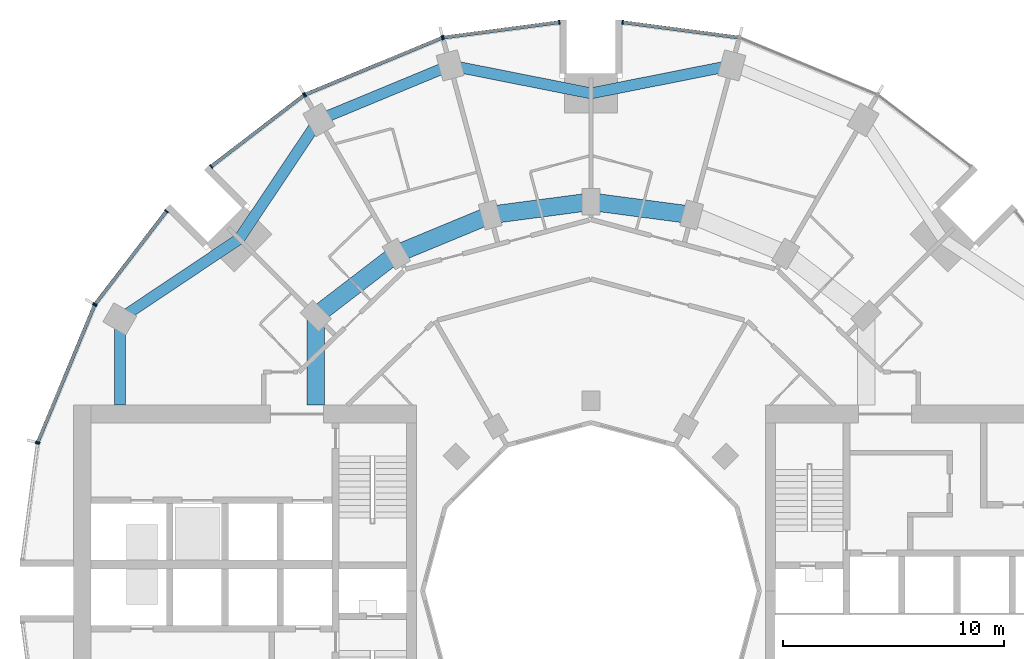
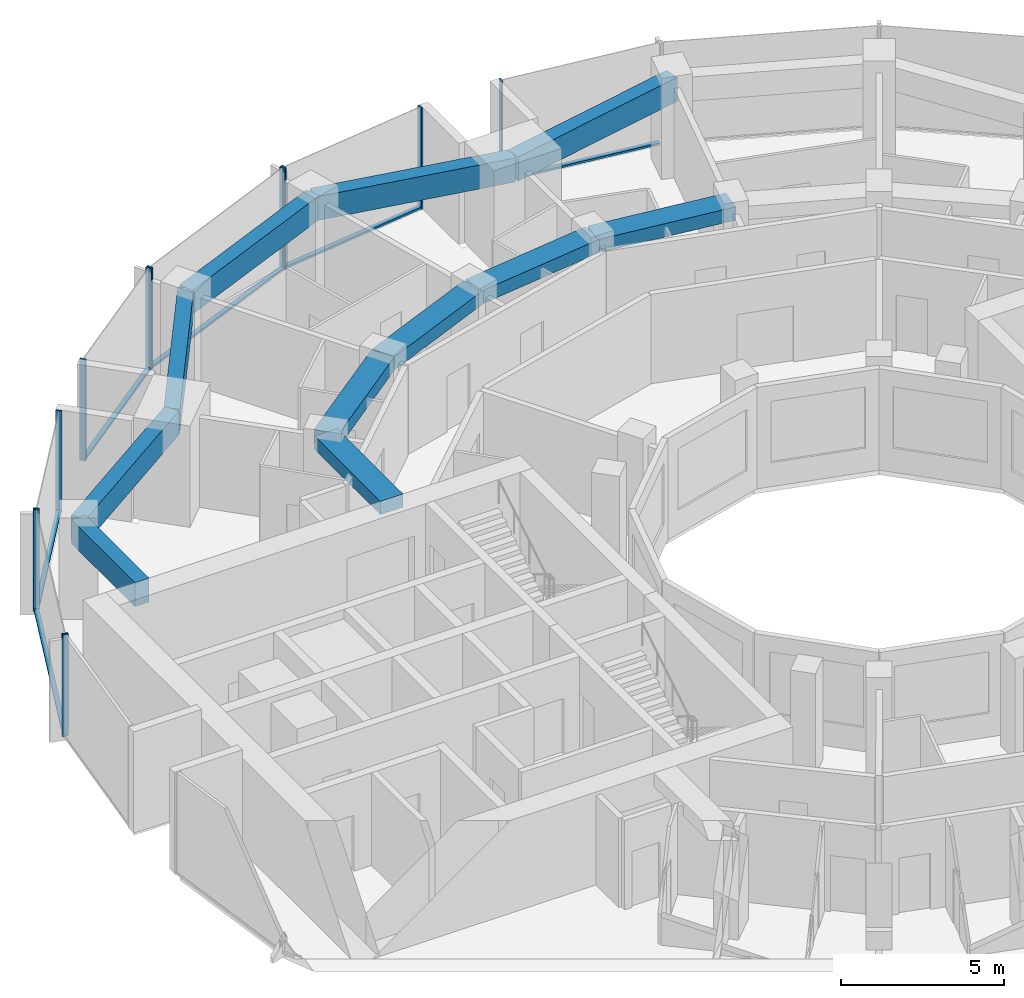
# One storey, part 5 of 15: 18 members, 11 beams, 7 elements without a shape of their own.
"""IFC4 building model written with IfcOpenShell, lengths in metres."""

from ifc_helpers import new_model, si_unit, direction, frame, origin, origin_2d, place, context, subcontext, project, spatial, rectangle, extrude, material, layer, layer_set, material_profile, profile_set, type_object, element, aggregate, save


model = new_model("IFC4")

# Units and contexts
model_context = context("Model", 3, precision=1e-05, world=origin(), true_north=direction((0.0, 1.0)))
body_context = subcontext(model_context, "Body", "Model", "MODEL_VIEW")
ifc_project = project(units=[si_unit("LENGTHUNIT", "METRE"), si_unit("AREAUNIT", "SQUARE_METRE"), si_unit("VOLUMEUNIT", "CUBIC_METRE"), si_unit("PLANEANGLEUNIT", "RADIAN"), si_unit("MASSUNIT", "GRAM", prefix="KILO")], contexts=[model_context])

# Site, building, storey
site_placement = place(None, origin())
site = spatial("IfcSite", under=ifc_project, at=site_placement, CompositionType="ELEMENT")
building_placement = place(site_placement, origin())
building = spatial("IfcBuilding", under=site, at=building_placement, Name="Torre Brocal", CompositionType="ELEMENT")
storey_placement = place(building_placement, frame((0.0, 0.0, 44.0)))
storey = spatial("IfcBuildingStorey", under=building, at=storey_placement, Name="L09", CompositionType="ELEMENT", Elevation=44.0)

# Curtain wall, member
ifc_material_1 = material(Name="Aluminium and glass", Category="aluminium")
ifc_layer_1 = layer(ifc_material_1, 0.199951171875)
ifc_layer_set_1 = layer_set([ifc_layer_1], Name="Aluminium and glass")
curtain_wall_type_1 = type_object("IfcCurtainWallType", Name="CW-1 CURTAIN WALL 3800 HIGH", PredefinedType="NOTDEFINED", material=ifc_layer_set_1)
curtain_wall_1_placement = place(storey_placement, origin())
curtain_wall_1 = element("IfcCurtainWall", 1, at=curtain_wall_1_placement, inside=storey, type_object=curtain_wall_type_1, Name="CW-1 RUN 6", PredefinedType="NOTDEFINED")
ifc_material_2 = material(Name="Aluminium, dark anodised", Category="aluminium")
ifc_material_profile_1 = material_profile(ifc_material_2, rectangle(XDim=0.199951171875, YDim=0.06005859375, at=origin_2d()), Name="CW-1 MULLION 60X200")
ifc_profile_set_1 = profile_set([ifc_material_profile_1], Name="Aluminium, dark anodised")
member_type_1 = type_object("IfcMemberType", Name="CW-1 MULLION 60X200", PredefinedType="MULLION", material=ifc_profile_set_1)
member_1_placement = place(storey_placement, frame((81.4296875, 100.7109375, 0.0), z_axis=(0.0, 0.0, 1.0), x_axis=(-0.13052619222, -0.991444861374, 0.0)))
member_1 = element("IfcMember", 2, at=member_1_placement, type_object=member_type_1, Name="CW1-1 mullion 2", PredefinedType="MULLION", context=body_context, shape_type="SweptSolid", body=[
    extrude(rectangle(XDim=0.199951171875, YDim=0.06005859375, at=origin_2d()), origin(), (0.0, 0.0, 1.0), 3.800048828125),
])

# Curtain wall, members
curtain_wall_2_placement = place(storey_placement, origin())
curtain_wall_2 = element("IfcCurtainWall", 3, at=curtain_wall_2_placement, inside=storey, type_object=curtain_wall_type_1, Name="CW-1 RUN 7", PredefinedType="NOTDEFINED")
member_2_placement = place(storey_placement, frame((78.5703125, 100.7109375, 0.0), z_axis=(0.0, 0.0, 1.0), x_axis=(0.13052619222, -0.991444861374, 0.0)))
member_2 = element("IfcMember", 4, at=member_2_placement, type_object=member_type_1, Name="CW1-1 mullion 1", PredefinedType="MULLION", context=body_context, shape_type="SweptSolid", body=[
    extrude(rectangle(XDim=0.199951171875, YDim=0.06005859375, at=origin_2d()), origin(), (0.0, 0.0, 1.0), 3.800048828125),
])
member_3_placement = place(storey_placement, frame((73.32666015625, 100.0205078125, 0.0), z_axis=(0.0, 0.0, 1.0), x_axis=(0.13052619222, -0.991444861374, 0.0)))
member_3 = element("IfcMember", 5, at=member_3_placement, type_object=member_type_1, Name="CW1-1 mullion 2", PredefinedType="MULLION", context=body_context, shape_type="SweptSolid", body=[
    extrude(rectangle(XDim=0.199951171875, YDim=0.06005859375, at=origin_2d()), origin(), (0.0, 0.0, 1.0), 3.800048828125),
])

curtain_wall_3_placement = place(storey_placement, origin())
curtain_wall_3 = element("IfcCurtainWall", 6, at=curtain_wall_3_placement, inside=storey, type_object=curtain_wall_type_1, Name="CW-1 RUN 8", PredefinedType="NOTDEFINED")
member_4_placement = place(storey_placement, frame((73.26904296875, 100.005126953125, 0.0), z_axis=(0.0, 0.0, 1.0), x_axis=(0.382683432333, -0.923879532525, 0.0)))
member_4 = element("IfcMember", 7, at=member_4_placement, type_object=member_type_1, Name="CW1-1 mullion 1", PredefinedType="MULLION", context=body_context, shape_type="SweptSolid", body=[
    extrude(rectangle(XDim=0.199951171875, YDim=0.06005859375, at=origin_2d()), origin(), (0.0, 0.0, 1.0), 3.800048828125),
])
member_5_placement = place(storey_placement, frame((67.078125, 97.440673828125, 0.0), z_axis=(0.0, 0.0, 1.0), x_axis=(0.382683432333, -0.923879532525, 0.0)))
member_5 = element("IfcMember", 8, at=member_5_placement, type_object=member_type_1, Name="CW1-1 mullion 2", PredefinedType="MULLION", context=body_context, shape_type="SweptSolid", body=[
    extrude(rectangle(XDim=0.199951171875, YDim=0.06005859375, at=origin_2d()), origin(), (0.0, 0.0, 1.0), 3.800048828125),
])

curtain_wall_4_placement = place(storey_placement, origin())
curtain_wall_4 = element("IfcCurtainWall", 9, at=curtain_wall_4_placement, inside=storey, type_object=curtain_wall_type_1, Name="CW-1 RUN 9", PredefinedType="NOTDEFINED")
member_6_placement = place(storey_placement, frame((67.026611328125, 97.4111328125, 0.0), z_axis=(0.0, 0.0, 1.0), x_axis=(0.60876142905, -0.793353340259, 0.0)))
member_6 = element("IfcMember", 10, at=member_6_placement, type_object=member_type_1, Name="CW1-1 mullion 1", PredefinedType="MULLION", context=body_context, shape_type="SweptSolid", body=[
    extrude(rectangle(XDim=0.199951171875, YDim=0.06005859375, at=origin_2d()), origin(), (0.0, 0.0, 1.0), 3.800048828125),
])
member_7_placement = place(storey_placement, frame((62.83056640625, 94.19140625, 0.0), z_axis=(0.0, 0.0, 1.0), x_axis=(0.60876142905, -0.793353340259, 0.0)))
member_7 = element("IfcMember", 11, at=member_7_placement, type_object=member_type_1, Name="CW1-1 mullion 2", PredefinedType="MULLION", context=body_context, shape_type="SweptSolid", body=[
    extrude(rectangle(XDim=0.199951171875, YDim=0.06005859375, at=origin_2d()), origin(), (0.0, 0.0, 1.0), 3.800048828125),
])

curtain_wall_5_placement = place(storey_placement, origin())
curtain_wall_5 = element("IfcCurtainWall", 12, at=curtain_wall_5_placement, inside=storey, type_object=curtain_wall_type_1, Name="CW-1 RUN 10", PredefinedType="NOTDEFINED")
member_8_placement = place(storey_placement, frame((60.80859375, 92.16943359375, 0.0), z_axis=(0.0, 0.0, 1.0), x_axis=(0.793353340259, -0.60876142905, 0.0)))
member_8 = element("IfcMember", 13, at=member_8_placement, type_object=member_type_1, Name="CW1-1 mullion 1", PredefinedType="MULLION", context=body_context, shape_type="SweptSolid", body=[
    extrude(rectangle(XDim=0.199951171875, YDim=0.06005859375, at=origin_2d()), origin(), (0.0, 0.0, 1.0), 3.800048828125),
])
member_9_placement = place(storey_placement, frame((57.5888671875, 87.973388671875, 0.0), z_axis=(0.0, 0.0, 1.0), x_axis=(0.793353340259, -0.60876142905, 0.0)))
member_9 = element("IfcMember", 14, at=member_9_placement, type_object=member_type_1, Name="CW1-1 mullion 2", PredefinedType="MULLION", context=body_context, shape_type="SweptSolid", body=[
    extrude(rectangle(XDim=0.199951171875, YDim=0.06005859375, at=origin_2d()), origin(), (0.0, 0.0, 1.0), 3.800048828125),
])

curtain_wall_6_placement = place(storey_placement, origin())
curtain_wall_6 = element("IfcCurtainWall", 15, at=curtain_wall_6_placement, inside=storey, type_object=curtain_wall_type_1, Name="CW-1 RUN 11", PredefinedType="NOTDEFINED")
member_10_placement = place(storey_placement, frame((57.559326171875, 87.921875, 0.0), z_axis=(0.0, 0.0, 1.0), x_axis=(0.923879532525, -0.382683432333, 0.0)))
member_10 = element("IfcMember", 16, at=member_10_placement, type_object=member_type_1, Name="CW1-1 mullion 1", PredefinedType="MULLION", context=body_context, shape_type="SweptSolid", body=[
    extrude(rectangle(XDim=0.199951171875, YDim=0.06005859375, at=origin_2d()), origin(), (0.0, 0.0, 1.0), 3.800048828125),
])
member_11_placement = place(storey_placement, frame((54.994873046875, 81.73095703125, 0.0), z_axis=(0.0, 0.0, 1.0), x_axis=(0.923879532525, -0.382683432333, 0.0)))
member_11 = element("IfcMember", 17, at=member_11_placement, type_object=member_type_1, Name="CW1-1 mullion 2", PredefinedType="MULLION", context=body_context, shape_type="SweptSolid", body=[
    extrude(rectangle(XDim=0.199951171875, YDim=0.06005859375, at=origin_2d()), origin(), (0.0, 0.0, 1.0), 3.800048828125),
])

# Member
ifc_material_3 = material(Name="Aluminium, dark anodised", Category="aluminium")
ifc_material_profile_2 = material_profile(ifc_material_3, rectangle(XDim=0.159912109375, YDim=0.080078125, at=origin_2d()), Name="CW-1 TRANSOM 160X80")
ifc_profile_set_2 = profile_set([ifc_material_profile_2], Name="Aluminium, dark anodised")
member_type_2 = type_object("IfcMemberType", Name="CW-1 TRANSOM 160X80", PredefinedType="USERDEFINED", material=ifc_profile_set_2)
member_12_placement = place(storey_placement, frame((86.643798828125, 100.0244140625, 0.0400390625), z_axis=(-0.991442690863, 0.130542677827, 0.0), x_axis=(-0.130542677827, -0.991442690863, 0.0)))
member_12 = element("IfcMember", 18, at=member_12_placement, type_object=member_type_2, Name="CW1-1 transom 1.1", ObjectType="TRANSOM", PredefinedType="USERDEFINED", context=body_context, shape_type="SweptSolid", body=[
    extrude(rectangle(XDim=0.159912109375, YDim=0.080078125, at=origin_2d()), origin(), (0.0, 0.0, 1.0), 5.22900390625),
])

aggregate(curtain_wall_1, [member_1, member_12])

member_13_placement = place(storey_placement, frame((78.54052734375, 100.70703125, 0.0400390625), z_axis=(-0.991442690863, -0.130542677827, 0.0), x_axis=(0.130542677827, -0.991442690863, 0.0)))
member_13 = element("IfcMember", 19, at=member_13_placement, type_object=member_type_2, Name="CW1-1 transom 1.1", ObjectType="TRANSOM", PredefinedType="USERDEFINED", context=body_context, shape_type="SweptSolid", body=[
    extrude(rectangle(XDim=0.159912109375, YDim=0.080078125, at=origin_2d()), origin(), (0.0, 0.0, 1.0), 5.22900390625),
])

aggregate(curtain_wall_2, [member_2, member_3, member_13])

member_14_placement = place(storey_placement, frame((73.241455078125, 99.99365234375, 0.0400390625), z_axis=(-0.923887344364, -0.38266457234, 0.0), x_axis=(0.38266457234, -0.923887344364, 0.0)))
member_14 = element("IfcMember", 20, at=member_14_placement, type_object=member_type_2, Name="CW1-1 transom 1.1", ObjectType="TRANSOM", PredefinedType="USERDEFINED", context=body_context, shape_type="SweptSolid", body=[
    extrude(rectangle(XDim=0.159912109375, YDim=0.080078125, at=origin_2d()), origin(), (0.0, 0.0, 1.0), 6.640869140625),
])

aggregate(curtain_wall_3, [member_4, member_5, member_14])

member_15_placement = place(storey_placement, frame((67.0029296875, 97.392822265625, 0.0400390625), z_axis=(-0.79336281513, -0.60874908096, 0.0), x_axis=(0.60874908096, -0.79336281513, 0.0)))
member_15 = element("IfcMember", 21, at=member_15_placement, type_object=member_type_2, Name="CW1-1 transom 1.1", ObjectType="TRANSOM", PredefinedType="USERDEFINED", context=body_context, shape_type="SweptSolid", body=[
    extrude(rectangle(XDim=0.159912109375, YDim=0.080078125, at=origin_2d()), origin(), (0.0, 0.0, 1.0), 5.22900390625),
])

aggregate(curtain_wall_4, [member_6, member_7, member_15])

member_16_placement = place(storey_placement, frame((60.790283203125, 92.1455078125, 0.0400390625), z_axis=(-0.60874908096, -0.79336281513, 0.0), x_axis=(0.79336281513, -0.60874908096, 0.0)))
member_16 = element("IfcMember", 22, at=member_16_placement, type_object=member_type_2, Name="CW1-1 transom 1.1", ObjectType="TRANSOM", PredefinedType="USERDEFINED", context=body_context, shape_type="SweptSolid", body=[
    extrude(rectangle(XDim=0.159912109375, YDim=0.080078125, at=origin_2d()), origin(), (0.0, 0.0, 1.0), 5.22900390625),
])

aggregate(curtain_wall_5, [member_8, member_9, member_16])

member_17_placement = place(storey_placement, frame((57.547607421875, 87.89404296875, 0.0400390625), z_axis=(-0.38266457234, -0.923887344364, 0.0), x_axis=(0.923887344364, -0.38266457234, 0.0)))
member_17 = element("IfcMember", 23, at=member_17_placement, type_object=member_type_2, Name="CW1-1 transom 1.1", ObjectType="TRANSOM", PredefinedType="USERDEFINED", context=body_context, shape_type="SweptSolid", body=[
    extrude(rectangle(XDim=0.159912109375, YDim=0.080078125, at=origin_2d()), origin(), (0.0, 0.0, 1.0), 6.640869140625),
])

aggregate(curtain_wall_6, [member_10, member_11, member_17])

# Curtain wall, member
ifc_material_4 = material(Name="Aluminium and glass", Category="aluminium")
ifc_layer_2 = layer(ifc_material_4, 0.199951171875)
ifc_layer_set_2 = layer_set([ifc_layer_2], Name="Aluminium and glass")
curtain_wall_type_2 = type_object("IfcCurtainWallType", Name="CW-1B CURTAIN WALL 3800 HIGH", PredefinedType="NOTDEFINED", material=ifc_layer_set_2)
curtain_wall_7_placement = place(storey_placement, origin())
curtain_wall_7 = element("IfcCurtainWall", 24, at=curtain_wall_7_placement, inside=storey, type_object=curtain_wall_type_2, Name="CW-1B RUN 12", PredefinedType="NOTDEFINED")
ifc_material_5 = material(Name="Aluminium, dark anodised", Category="aluminium")
ifc_material_profile_3 = material_profile(ifc_material_5, rectangle(XDim=0.199951171875, YDim=0.06005859375, at=origin_2d()), Name="CW-1B MULLION 60X200")
ifc_profile_set_3 = profile_set([ifc_material_profile_3], Name="Aluminium, dark anodised")
member_type_3 = type_object("IfcMemberType", Name="CW-1B MULLION 60X200", PredefinedType="MULLION", material=ifc_profile_set_3)
member_18_placement = place(storey_placement, frame((54.9794921875, 81.67333984375, 0.0), z_axis=(0.0, 0.0, 1.0), x_axis=(0.991444861374, -0.13052619222, 0.0)))
member_18 = element("IfcMember", 25, at=member_18_placement, type_object=member_type_3, Name="CW1B-1 mullion 1", PredefinedType="MULLION", context=body_context, shape_type="SweptSolid", body=[
    extrude(rectangle(XDim=0.199951171875, YDim=0.06005859375, at=origin_2d()), origin(), (0.0, 0.0, 1.0), 3.800048828125),
])
aggregate(curtain_wall_7, [member_18])

# Beams
ifc_material_6 = material(Name="Concrete C50", Category="concrete")
ifc_material_profile_4 = material_profile(ifc_material_6, rectangle(XDim=0.800048828125, YDim=0.5, at=origin_2d()), Name="RC 800X500")
ifc_profile_set_4 = profile_set([ifc_material_profile_4], Name="Concrete C50")
beam_type_1 = type_object("IfcBeamType", Name="RC BEAM 800X500 C50 TOP 3480", PredefinedType="BEAM", material=ifc_profile_set_4)
for number, where, z_axis, x_axis, name in (
    (26, (84.55517578125, 92.000244140625, 3.22998046875), (-0.991440544449, 0.130558978332, 0.0), (-0.130558978332, -0.991440544449, 0.0), "Beam BT-19"),
    (27, (80.0, 92.60009765625, 3.22998046875), (-0.991440544449, -0.130558978332, 0.0), (0.130558978332, -0.991440544449, 0.0), "Beam BT-19"),
):
    element("IfcBeam", number, at=place(storey_placement, frame(where, z_axis=z_axis, x_axis=x_axis)), inside=storey, type_object=beam_type_1, Name=name, PredefinedType="BEAM", context=body_context, shape_type="SweptSolid", body=[
        extrude(rectangle(XDim=0.800048828125, YDim=0.5, at=origin_2d()), origin(), (0.0, 0.0, 1.0), 4.594482421875),
    ])
beam_1_placement = place(storey_placement, frame((75.44482421875, 92.000244140625, 3.22998046875), z_axis=(-0.923878240166, -0.382686552348, 0.0), x_axis=(0.382686552348, -0.923878240166, 0.0)))
element("IfcBeam", 28, at=beam_1_placement, inside=storey, type_object=beam_type_1, Name="Beam BT-19", PredefinedType="BEAM", context=body_context, shape_type="SweptSolid", body=[
    extrude(rectangle(XDim=0.800048828125, YDim=0.5, at=origin_2d()), origin(), (0.0, 0.0, 1.0), 4.5947265625),
])
beam_2_placement = place(storey_placement, frame((71.199951171875, 90.241943359375, 3.22998046875), z_axis=(-0.793358265959, -0.6087550097, 0.0), x_axis=(0.6087550097, -0.793358265959, 0.0)))
element("IfcBeam", 29, at=beam_2_placement, inside=storey, type_object=beam_type_1, Name="Beam BT-19", PredefinedType="BEAM", context=body_context, shape_type="SweptSolid", body=[
    extrude(rectangle(XDim=0.800048828125, YDim=0.5, at=origin_2d()), origin(), (0.0, 0.0, 1.0), 4.594482421875),
])
beam_3_placement = place(storey_placement, frame((67.554931640625, 87.445068359375, 3.22998046875), z_axis=(0.0, -1.0, 0.0), x_axis=(1.0, 0.0, 0.0)))
element("IfcBeam", 30, at=beam_3_placement, inside=storey, type_object=beam_type_1, Name="Beam BT-19", PredefinedType="BEAM", context=body_context, shape_type="SweptSolid", body=[
    extrude(rectangle(XDim=0.800048828125, YDim=0.5, at=origin_2d()), origin(), (0.0, 0.0, 1.0), 4.045166015625),
])
ifc_material_7 = material(Name="Concrete C50", Category="concrete")
ifc_material_profile_5 = material_profile(ifc_material_7, rectangle(XDim=0.5, YDim=0.89990234375, at=origin_2d()), Name="RC 500X900")
ifc_profile_set_5 = profile_set([ifc_material_profile_5], Name="Concrete C50")
beam_type_2 = type_object("IfcBeamType", Name="RC SPANDREL BEAM 500X900 C50 TOP 3480", PredefinedType="SPANDREL", material=ifc_profile_set_5)
for number, where, z_axis, x_axis, name in (
    (31, (86.366943359375, 98.76171875, 3.030029296875), (-0.980924907484, -0.194387051723, 0.0), (0.194387051723, -0.980924907484, 0.0), "Beam BT-20"),
    (32, (80.0, 97.5, 3.030029296875), (-0.980924907484, 0.194387051723, 0.0), (-0.194387051723, -0.980924907484, 0.0), "Beam BT-20"),
):
    element("IfcBeam", number, at=place(storey_placement, frame(where, z_axis=z_axis, x_axis=x_axis)), inside=storey, type_object=beam_type_2, Name=name, PredefinedType="SPANDREL", context=body_context, shape_type="SweptSolid", body=[
        extrude(rectangle(XDim=0.5, YDim=0.89990234375, at=origin_2d()), origin(), (0.0, 0.0, 1.0), 6.49072265625),
    ])
beam_4_placement = place(storey_placement, frame((73.633056640625, 98.76171875, 3.030029296875), z_axis=(-0.923882462513, -0.382676358639, 0.0), x_axis=(0.382676358639, -0.923882462513, 0.0)))
element("IfcBeam", 33, at=beam_4_placement, inside=storey, type_object=beam_type_2, Name="Beam BT-20", PredefinedType="SPANDREL", context=body_context, shape_type="SweptSolid", body=[
    extrude(rectangle(XDim=0.5, YDim=0.89990234375, at=origin_2d()), origin(), (0.0, 0.0, 1.0), 6.421875),
])
for number, where, z_axis, x_axis, name in (
    (34, (67.699951171875, 96.30419921875, 3.030029296875), (-0.556157602282, -0.831076844476, 0.0), (0.831076844476, -0.556157602282, 0.0), "Beam BT-20"),
    (35, (64.090087890625, 90.909912109375, 3.030029296875), (-0.831076844476, -0.556157602282, 0.0), (0.556157602282, -0.831076844476, 0.0), "Beam BT-20"),
):
    element("IfcBeam", number, at=place(storey_placement, frame(where, z_axis=z_axis, x_axis=x_axis)), inside=storey, type_object=beam_type_2, Name=name, PredefinedType="SPANDREL", context=body_context, shape_type="SweptSolid", body=[
        extrude(rectangle(XDim=0.5, YDim=0.89990234375, at=origin_2d()), origin(), (0.0, 0.0, 1.0), 6.49072265625),
    ])
beam_5_placement = place(storey_placement, frame((58.69580078125, 87.300048828125, 3.030029296875), z_axis=(0.0, -1.0, 0.0), x_axis=(1.0, 0.0, 0.0)))
element("IfcBeam", 36, at=beam_5_placement, inside=storey, type_object=beam_type_2, Name="Beam BT-20", PredefinedType="SPANDREL", context=body_context, shape_type="SweptSolid", body=[
    extrude(rectangle(XDim=0.5, YDim=0.89990234375, at=origin_2d()), origin(), (0.0, 0.0, 1.0), 3.900146484375),
])

save(model, "model.ifc")
